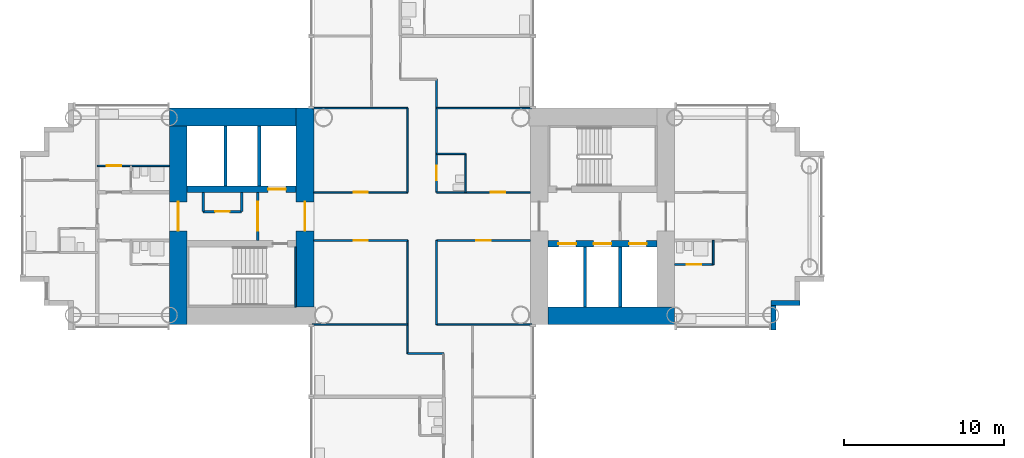
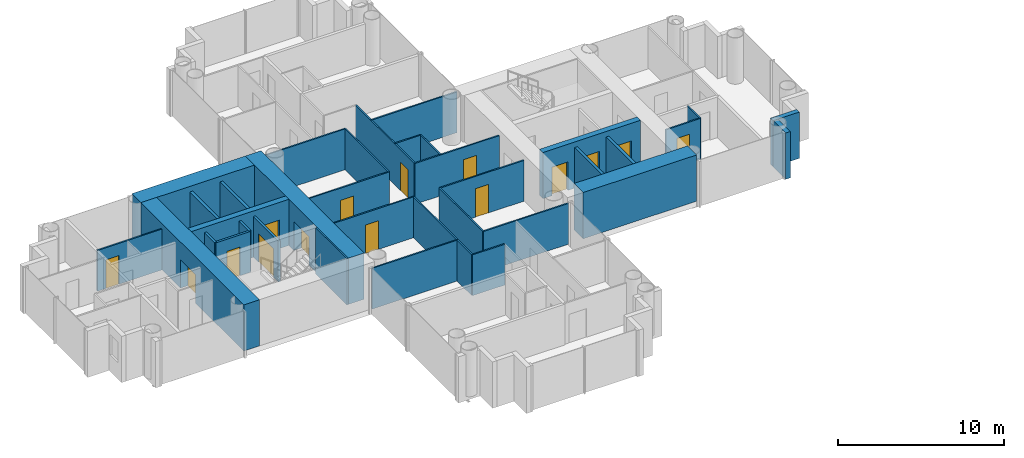
# One storey, part 10 of 21: 35 walls, 15 doors, 15 openings.
"""IFC4 building model written with IfcOpenShell, lengths in metres."""

from ifc_helpers import new_model, si_unit, direction, frame, frame_2d, origin, place, context, subcontext, project, spatial, rectangle, extrude, material, layer, layer_set, type_object, element, fill, save


model = new_model("IFC4")

# Units and contexts
model_context = context("Model", 3, precision=1e-05, world=origin(), true_north=direction((0.0, 1.0)))
body_context = subcontext(model_context, "Body", "Model", "MODEL_VIEW")
ifc_project = project(units=[si_unit("LENGTHUNIT", "METRE"), si_unit("AREAUNIT", "SQUARE_METRE"), si_unit("VOLUMEUNIT", "CUBIC_METRE"), si_unit("PLANEANGLEUNIT", "RADIAN"), si_unit("MASSUNIT", "GRAM", prefix="KILO")], contexts=[model_context])

# Site, building, storey
site_placement = place(None, origin())
site = spatial("IfcSite", under=ifc_project, at=site_placement, CompositionType="ELEMENT")
building_placement = place(site_placement, origin())
building = spatial("IfcBuilding", under=site, at=building_placement, Name="Ipe Terrace Towers", CompositionType="ELEMENT")
storey_placement = place(building_placement, frame((0.0, 0.0, 41.5)))
storey = spatial("IfcBuildingStorey", under=building, at=storey_placement, Name="L10", CompositionType="ELEMENT", Elevation=41.5)

# Walls
ifc_material_1 = material(Name="Concrete C40/50 with buff precast cladding", Category="concrete")
ifc_layer_1 = layer(ifc_material_1, 0.320068359375)
ifc_layer_set_1 = layer_set([ifc_layer_1], Name="BUFF CLADDING WALL 320")
wall_type_1 = type_object("IfcWallType", Name="BUFF CLADDING WALL 320", PredefinedType="STANDARD", material=ifc_layer_set_1)
wall_1_placement = place(storey_placement, frame((-14.090087890625, -7.070068359375, -0.300048828125), z_axis=(0.0, 0.0, 1.0), x_axis=(0.0, 1.0, 0.0)))
element("IfcWall", 1, at=wall_1_placement, inside=storey, type_object=wall_type_1, Name="T1-W-L10-21a wall", PredefinedType="STANDARD", context=body_context, shape_type="SweptSolid", body=[
    extrude(rectangle(XDim=1.5, YDim=0.320068359375, at=frame_2d((0.75, 0.0))), origin(), (0.0, 0.0, 1.0), 3.400146484375),
])
wall_2_placement = place(storey_placement, frame((-14.25, -5.409912109375, -0.300048828125), z_axis=(0.0, 0.0, 1.0), x_axis=(1.0, 0.0, 0.0)))
element("IfcWall", 2, at=wall_2_placement, inside=storey, type_object=wall_type_1, Name="T1-W-L10-22a wall", PredefinedType="STANDARD", context=body_context, shape_type="SweptSolid", body=[
    extrude(rectangle(XDim=1.820068359375, YDim=0.320068359375, at=frame_2d((0.91015625, 0.0))), origin(), (0.0, 0.0, 1.0), 3.400146484375),
])
ifc_material_2 = material(Name="Gypsum board partition", Category="plasterboard")
ifc_layer_2 = layer(ifc_material_2, 0.10009765625)
ifc_layer_set_2 = layer_set([ifc_layer_2], Name="Gypsum board partition 100 mm")
wall_type_2 = type_object("IfcWallType", Name="Gypsum board partition 100 mm", PredefinedType="PARTITIONING", material=ifc_layer_set_2)
wall_3_placement = place(storey_placement, frame((-36.89990234375, -8.550048828125, 0.0), z_axis=(0.0, 0.0, 1.0), x_axis=(0.0, 1.0, 0.0)))
element("IfcWall", 3, at=wall_3_placement, inside=storey, type_object=wall_type_2, Name="Gypsum board partition T1 L10 W08", PredefinedType="PARTITIONING", context=body_context, shape_type="SweptSolid", body=[
    extrude(rectangle(XDim=7.050048828125, YDim=0.10009765625, at=frame_2d((3.52490234375, 0.0))), origin(), (0.0, 0.0, 1.0), 3.0),
])
for number, where, z_axis, x_axis, name in (
    (4, (-36.89990234375, 1.5, 0.0), (0.0, 0.0, 1.0), (0.0, 1.0, 0.0), "Gypsum board partition T1 L10 W09"),
    (5, (-35.10009765625, -6.75, 0.0), (0.0, 0.0, 1.0), (0.0, 1.0, 0.0), "Gypsum board partition T1 L10 W12"),
):
    element("IfcWall", number, at=place(storey_placement, frame(where, z_axis=z_axis, x_axis=x_axis)), inside=storey, type_object=wall_type_2, Name=name, PredefinedType="PARTITIONING", context=body_context, shape_type="SweptSolid", body=[
        extrude(rectangle(XDim=5.25, YDim=0.10009765625, at=frame_2d((2.625, 0.0))), origin(), (0.0, 0.0, 1.0), 3.0),
    ])

# Wall, opening, door
wall_4_placement = place(storey_placement, frame((-35.10009765625, 1.5, 0.0), z_axis=(0.0, 0.0, 1.0), x_axis=(0.0, 1.0, 0.0)))
wall_4 = element("IfcWall", 6, at=wall_4_placement, inside=storey, type_object=wall_type_2, Name="Gypsum board partition T1 L10 W13", PredefinedType="PARTITIONING", context=body_context, shape_type="SweptSolid", body=[
    extrude(rectangle(XDim=7.050048828125, YDim=0.10009765625, at=frame_2d((3.52490234375, 0.0))), origin(), (0.0, 0.0, 1.0), 3.0),
])
opening_1_placement = place(wall_4_placement, frame((0.75, 0.0, 0.0)))
opening_1 = element("IfcOpeningElement", 7, at=opening_1_placement, cuts=wall_4, Name="Opening T1-Z1B-01", PredefinedType="OPENING", context=body_context, shape_type="SweptSolid", body=[
    extrude(rectangle(XDim=0.89990234375, YDim=2.10009765625, at=frame_2d((0.449951171875, 1.050048828125))), frame((0.0, 0.06005859375, 0.0), z_axis=(0.0, -1.0, 0.0), x_axis=(1.0, 0.0, 0.0)), (0.0, 0.0, 1.0), 0.1201171875),
])
ifc_material_3 = material(Name="Timber door leaf", Category="wood")
door_type_1 = type_object("IfcDoorType", Name="Bathroom door 900 x 2100", OperationType="NOTDEFINED", PredefinedType="DOOR", material=ifc_material_3)
door_1_placement = place(opening_1_placement, origin())
door_1 = element("IfcDoor", 8, at=door_1_placement, inside=storey, type_object=door_type_1, Name="Bathroom door T1-Z1B-01", OperationType="SINGLE_SWING_LEFT", OverallHeight=2.10009765625, OverallWidth=0.89990234375, PredefinedType="DOOR", context=body_context, shape_type="SweptSolid", body=[
    extrude(rectangle(XDim=0.89990234375, YDim=2.10009765625, at=frame_2d((0.449951171875, 1.050048828125))), frame((0.0, 0.02490234375, 0.0), z_axis=(0.0, -1.0, 0.0), x_axis=(1.0, 0.0, 0.0)), (0.0, 0.0, 1.0), 0.050048828125),
])
fill(opening_1, door_1)

# Walls
wall_5_placement = place(storey_placement, frame((-33.300048828125, 1.5, 0.0), z_axis=(0.0, 0.0, 1.0), x_axis=(0.0, 1.0, 0.0)))
element("IfcWall", 9, at=wall_5_placement, inside=storey, type_object=wall_type_2, Name="Gypsum board partition T1 L10 W16", PredefinedType="PARTITIONING", context=body_context, shape_type="SweptSolid", body=[
    extrude(rectangle(XDim=2.39990234375, YDim=0.10009765625, at=frame_2d((1.199951171875, 0.0))), origin(), (0.0, 0.0, 1.0), 3.0),
])
wall_6_placement = place(storey_placement, frame((-17.85009765625, -3.0, 0.0), z_axis=(0.0, 0.0, 1.0), x_axis=(0.0, 1.0, 0.0)))
element("IfcWall", 10, at=wall_6_placement, inside=storey, type_object=wall_type_2, Name="Gypsum board partition T1 L10 W18", PredefinedType="PARTITIONING", context=body_context, shape_type="SweptSolid", body=[
    extrude(rectangle(XDim=1.5, YDim=0.10009765625, at=frame_2d((0.75, 0.0))), origin(), (0.0, 0.0, 1.0), 3.0),
])
wall_7_placement = place(storey_placement, frame((-36.89990234375, -8.550048828125, 0.0), z_axis=(0.0, 0.0, 1.0), x_axis=(1.0, 0.0, 0.0)))
element("IfcWall", 11, at=wall_7_placement, inside=storey, type_object=wall_type_2, Name="Gypsum board partition T1 L10 W26", PredefinedType="PARTITIONING", context=body_context, shape_type="SweptSolid", body=[
    extrude(rectangle(XDim=2.25, YDim=0.10009765625, at=frame_2d((1.125, 0.0))), origin(), (0.0, 0.0, 1.0), 3.0),
])
for number, where, z_axis, x_axis, name in (
    (12, (-42.85009765625, -6.75, 0.0), (0.0, 0.0, 1.0), (1.0, 0.0, 0.0), "Gypsum board partition T1 L10 W27"),
    (13, (-35.10009765625, -6.75, 0.0), (0.0, 0.0, 1.0), (1.0, 0.0, 0.0), "Gypsum board partition T1 L10 W28"),
):
    element("IfcWall", number, at=place(storey_placement, frame(where, z_axis=z_axis, x_axis=x_axis)), inside=storey, type_object=wall_type_2, Name=name, PredefinedType="PARTITIONING", context=body_context, shape_type="SweptSolid", body=[
        extrude(rectangle(XDim=5.9501953125, YDim=0.10009765625, at=frame_2d((2.97509765625, 0.0))), origin(), (0.0, 0.0, 1.0), 3.0),
    ])

# Wall, opening, door
wall_8_placement = place(storey_placement, frame((-20.25, -3.0, 0.0), z_axis=(0.0, 0.0, 1.0), x_axis=(1.0, 0.0, 0.0)))
wall_8 = element("IfcWall", 14, at=wall_8_placement, inside=storey, type_object=wall_type_2, Name="Gypsum board partition T1 L10 W30", PredefinedType="PARTITIONING", context=body_context, shape_type="SweptSolid", body=[
    extrude(rectangle(XDim=2.39990234375, YDim=0.10009765625, at=frame_2d((1.199951171875, 0.0))), origin(), (0.0, 0.0, 1.0), 3.0),
])
opening_2_placement = place(wall_8_placement, frame((0.75, 0.0, 0.0)))
opening_2 = element("IfcOpeningElement", 15, at=opening_2_placement, cuts=wall_8, Name="Opening T1-Z1B-20", PredefinedType="OPENING", context=body_context, shape_type="SweptSolid", body=[
    extrude(rectangle(XDim=0.89990234375, YDim=2.10009765625, at=frame_2d((0.449951171875, 1.050048828125))), frame((0.0, 0.06005859375, 0.0), z_axis=(0.0, -1.0, 0.0), x_axis=(1.0, 0.0, 0.0)), (0.0, 0.0, 1.0), 0.1201171875),
])
door_2_placement = place(opening_2_placement, origin())
door_2 = element("IfcDoor", 16, at=door_2_placement, inside=storey, type_object=door_type_1, Name="Bathroom door T1-Z1B-20", OperationType="SINGLE_SWING_LEFT", OverallHeight=2.10009765625, OverallWidth=0.89990234375, PredefinedType="DOOR", context=body_context, shape_type="SweptSolid", body=[
    extrude(rectangle(XDim=0.89990234375, YDim=2.10009765625, at=frame_2d((0.449951171875, 1.050048828125))), frame((0.0, 0.02490234375, 0.0), z_axis=(0.0, -1.0, 0.0), x_axis=(1.0, 0.0, 0.0)), (0.0, 0.0, 1.0), 0.050048828125),
])
fill(opening_2, door_2)

wall_9_placement = place(storey_placement, frame((-42.75, -1.5, 0.0), z_axis=(0.0, 0.0, 1.0), x_axis=(1.0, 0.0, 0.0)))
wall_9 = element("IfcWall", 17, at=wall_9_placement, inside=storey, type_object=wall_type_2, Name="Gypsum board partition T1 L10 W32", PredefinedType="PARTITIONING", context=body_context, shape_type="SweptSolid", body=[
    extrude(rectangle(XDim=5.85009765625, YDim=0.10009765625, at=frame_2d((2.925048828125, 0.0))), origin(), (0.0, 0.0, 1.0), 3.0),
])
opening_3_placement = place(wall_9_placement, frame((2.47509765625, 0.0, 0.0)))
opening_3 = element("IfcOpeningElement", 18, at=opening_3_placement, cuts=wall_9, Name="Opening T1-Z1B-04", PredefinedType="OPENING", context=body_context, shape_type="SweptSolid", body=[
    extrude(rectangle(XDim=0.89990234375, YDim=2.10009765625, at=frame_2d((0.449951171875, 1.050048828125))), frame((0.0, 0.06005859375, 0.0), z_axis=(0.0, -1.0, 0.0), x_axis=(1.0, 0.0, 0.0)), (0.0, 0.0, 1.0), 0.1201171875),
])
ifc_material_4 = material(Name="Timber door leaf", Category="wood")
door_type_2 = type_object("IfcDoorType", Name="Lounge door 900 x 2100", OperationType="NOTDEFINED", PredefinedType="DOOR", material=ifc_material_4)
door_3_placement = place(opening_3_placement, origin())
door_3 = element("IfcDoor", 19, at=door_3_placement, inside=storey, type_object=door_type_2, Name="Lounge door T1-Z1B-04", OperationType="SINGLE_SWING_LEFT", OverallHeight=2.10009765625, OverallWidth=0.89990234375, PredefinedType="DOOR", context=body_context, shape_type="SweptSolid", body=[
    extrude(rectangle(XDim=0.89990234375, YDim=2.10009765625, at=frame_2d((0.449951171875, 1.050048828125))), frame((0.0, 0.02490234375, 0.0), z_axis=(0.0, -1.0, 0.0), x_axis=(1.0, 0.0, 0.0)), (0.0, 0.0, 1.0), 0.050048828125),
])
fill(opening_3, door_3)

wall_10_placement = place(storey_placement, frame((-35.10009765625, -1.5, 0.0), z_axis=(0.0, 0.0, 1.0), x_axis=(1.0, 0.0, 0.0)))
wall_10 = element("IfcWall", 20, at=wall_10_placement, inside=storey, type_object=wall_type_2, Name="Gypsum board partition T1 L10 W33", PredefinedType="PARTITIONING", context=body_context, shape_type="SweptSolid", body=[
    extrude(rectangle(XDim=5.85009765625, YDim=0.10009765625, at=frame_2d((2.925048828125, 0.0))), origin(), (0.0, 0.0, 1.0), 3.0),
])
opening_4_placement = place(wall_10_placement, frame((2.47509765625, 0.0, 0.0)))
opening_4 = element("IfcOpeningElement", 21, at=opening_4_placement, cuts=wall_10, Name="Opening T1-Z1B-05", PredefinedType="OPENING", context=body_context, shape_type="SweptSolid", body=[
    extrude(rectangle(XDim=0.89990234375, YDim=2.10009765625, at=frame_2d((0.449951171875, 1.050048828125))), frame((0.0, 0.06005859375, 0.0), z_axis=(0.0, -1.0, 0.0), x_axis=(1.0, 0.0, 0.0)), (0.0, 0.0, 1.0), 0.1201171875),
])
door_4_placement = place(opening_4_placement, origin())
door_4 = element("IfcDoor", 22, at=door_4_placement, inside=storey, type_object=door_type_2, Name="Lounge door T1-Z1B-05", OperationType="SINGLE_SWING_RIGHT", OverallHeight=2.10009765625, OverallWidth=0.89990234375, PredefinedType="DOOR", context=body_context, shape_type="SweptSolid", body=[
    extrude(rectangle(XDim=0.89990234375, YDim=2.10009765625, at=frame_2d((0.449951171875, 1.050048828125))), frame((0.0, 0.02490234375, 0.0), z_axis=(0.0, -1.0, 0.0), x_axis=(1.0, 0.0, 0.0)), (0.0, 0.0, 1.0), 0.050048828125),
])
fill(opening_4, door_4)

wall_11_placement = place(storey_placement, frame((-42.75, 1.5, 0.0), z_axis=(0.0, 0.0, 1.0), x_axis=(1.0, 0.0, 0.0)))
wall_11 = element("IfcWall", 23, at=wall_11_placement, inside=storey, type_object=wall_type_2, Name="Gypsum board partition T1 L10 W37", PredefinedType="PARTITIONING", context=body_context, shape_type="SweptSolid", body=[
    extrude(rectangle(XDim=5.85009765625, YDim=0.10009765625, at=frame_2d((2.925048828125, 0.0))), origin(), (0.0, 0.0, 1.0), 3.0),
])
opening_5_placement = place(wall_11_placement, frame((2.47509765625, 0.0, 0.0)))
opening_5 = element("IfcOpeningElement", 24, at=opening_5_placement, cuts=wall_11, Name="Opening T1-Z1B-03", PredefinedType="OPENING", context=body_context, shape_type="SweptSolid", body=[
    extrude(rectangle(XDim=0.89990234375, YDim=2.10009765625, at=frame_2d((0.449951171875, 1.050048828125))), frame((0.0, 0.06005859375, 0.0), z_axis=(0.0, -1.0, 0.0), x_axis=(1.0, 0.0, 0.0)), (0.0, 0.0, 1.0), 0.1201171875),
])
door_5_placement = place(opening_5_placement, origin())
door_5 = element("IfcDoor", 25, at=door_5_placement, inside=storey, type_object=door_type_2, Name="Lounge door T1-Z1B-03", OperationType="SINGLE_SWING_RIGHT", OverallHeight=2.10009765625, OverallWidth=0.89990234375, PredefinedType="DOOR", context=body_context, shape_type="SweptSolid", body=[
    extrude(rectangle(XDim=0.89990234375, YDim=2.10009765625, at=frame_2d((0.449951171875, 1.050048828125))), frame((0.0, 0.02490234375, 0.0), z_axis=(0.0, -1.0, 0.0), x_axis=(1.0, 0.0, 0.0)), (0.0, 0.0, 1.0), 0.050048828125),
])
fill(opening_5, door_5)

wall_12_placement = place(storey_placement, frame((-35.10009765625, 1.5, 0.0), z_axis=(0.0, 0.0, 1.0), x_axis=(1.0, 0.0, 0.0)))
wall_12 = element("IfcWall", 26, at=wall_12_placement, inside=storey, type_object=wall_type_2, Name="Gypsum board partition T1 L10 W38", PredefinedType="PARTITIONING", context=body_context, shape_type="SweptSolid", body=[
    extrude(rectangle(XDim=5.85009765625, YDim=0.10009765625, at=frame_2d((2.925048828125, 0.0))), origin(), (0.0, 0.0, 1.0), 3.0),
])
opening_6_placement = place(wall_12_placement, frame((3.375, 0.0, 0.0)))
opening_6 = element("IfcOpeningElement", 27, at=opening_6_placement, cuts=wall_12, Name="Opening T1-Z1B-02", PredefinedType="OPENING", context=body_context, shape_type="SweptSolid", body=[
    extrude(rectangle(XDim=0.89990234375, YDim=2.10009765625, at=frame_2d((0.449951171875, 1.050048828125))), frame((0.0, 0.06005859375, 0.0), z_axis=(0.0, -1.0, 0.0), x_axis=(1.0, 0.0, 0.0)), (0.0, 0.0, 1.0), 0.1201171875),
])
door_6_placement = place(opening_6_placement, origin())
door_6 = element("IfcDoor", 28, at=door_6_placement, inside=storey, type_object=door_type_2, Name="Lounge door T1-Z1B-02", OperationType="SINGLE_SWING_LEFT", OverallHeight=2.10009765625, OverallWidth=0.89990234375, PredefinedType="DOOR", context=body_context, shape_type="SweptSolid", body=[
    extrude(rectangle(XDim=0.89990234375, YDim=2.10009765625, at=frame_2d((0.449951171875, 1.050048828125))), frame((0.0, 0.02490234375, 0.0), z_axis=(0.0, -1.0, 0.0), x_axis=(1.0, 0.0, 0.0)), (0.0, 0.0, 1.0), 0.050048828125),
])
fill(opening_6, door_6)

wall_13_placement = place(storey_placement, frame((-56.25, 3.14990234375, 0.0), z_axis=(0.0, 0.0, 1.0), x_axis=(1.0, 0.0, 0.0)))
wall_13 = element("IfcWall", 29, at=wall_13_placement, inside=storey, type_object=wall_type_2, Name="Gypsum board partition T1 L10 W42", PredefinedType="PARTITIONING", context=body_context, shape_type="SweptSolid", body=[
    extrude(rectangle(XDim=4.5, YDim=0.10009765625, at=frame_2d((2.25, 0.0))), origin(), (0.0, 0.0, 1.0), 3.0),
])
opening_7_placement = place(wall_13_placement, frame((0.60009765625, 0.0, 0.0)))
opening_7 = element("IfcOpeningElement", 30, at=opening_7_placement, cuts=wall_13, Name="Opening T1-Z1B-25", PredefinedType="OPENING", context=body_context, shape_type="SweptSolid", body=[
    extrude(rectangle(XDim=0.89990234375, YDim=2.10009765625, at=frame_2d((0.449951171875, 1.050048828125))), frame((0.0, 0.06005859375, 0.0), z_axis=(0.0, -1.0, 0.0), x_axis=(1.0, 0.0, 0.0)), (0.0, 0.0, 1.0), 0.1201171875),
])
ifc_material_5 = material(Name="Timber door leaf", Category="wood")
door_type_3 = type_object("IfcDoorType", Name="Bedroom door 900 x 2100", OperationType="NOTDEFINED", PredefinedType="DOOR", material=ifc_material_5)
door_7_placement = place(opening_7_placement, origin())
door_7 = element("IfcDoor", 31, at=door_7_placement, inside=storey, type_object=door_type_3, Name="Bedroom door T1-Z1B-25", OperationType="SINGLE_SWING_RIGHT", OverallHeight=2.10009765625, OverallWidth=0.89990234375, PredefinedType="DOOR", context=body_context, shape_type="SweptSolid", body=[
    extrude(rectangle(XDim=0.89990234375, YDim=2.10009765625, at=frame_2d((0.449951171875, 1.050048828125))), frame((0.0, 0.02490234375, 0.0), z_axis=(0.0, -1.0, 0.0), x_axis=(1.0, 0.0, 0.0)), (0.0, 0.0, 1.0), 0.050048828125),
])
fill(opening_7, door_7)

# Walls
wall_14_placement = place(storey_placement, frame((-35.10009765625, 3.89990234375, 0.0), z_axis=(0.0, 0.0, 1.0), x_axis=(1.0, 0.0, 0.0)))
element("IfcWall", 32, at=wall_14_placement, inside=storey, type_object=wall_type_2, Name="Gypsum board partition T1 L10 W43", PredefinedType="PARTITIONING", context=body_context, shape_type="SweptSolid", body=[
    extrude(rectangle(XDim=1.800048828125, YDim=0.10009765625, at=frame_2d((0.89990234375, 0.0))), origin(), (0.0, 0.0, 1.0), 3.0),
])
for number, where, z_axis, x_axis, name in (
    (33, (-42.85009765625, 6.75, 0.0), (0.0, 0.0, 1.0), (1.0, 0.0, 0.0), "Gypsum board partition T1 L10 W44"),
    (34, (-35.10009765625, 6.75, 0.0), (0.0, 0.0, 1.0), (1.0, 0.0, 0.0), "Gypsum board partition T1 L10 W45"),
):
    element("IfcWall", number, at=place(storey_placement, frame(where, z_axis=z_axis, x_axis=x_axis)), inside=storey, type_object=wall_type_2, Name=name, PredefinedType="PARTITIONING", context=body_context, shape_type="SweptSolid", body=[
        extrude(rectangle(XDim=5.9501953125, YDim=0.10009765625, at=frame_2d((2.97509765625, 0.0))), origin(), (0.0, 0.0, 1.0), 3.0),
    ])

# Wall, opening, door
ifc_material_6 = material(Name="Gypsum board partition", Category="plasterboard")
ifc_layer_3 = layer(ifc_material_6, 0.14990234375)
ifc_layer_set_3 = layer_set([ifc_layer_3], Name="Gypsum board partition 150 mm")
wall_type_3 = type_object("IfcWallType", Name="Gypsum board partition 150 mm", PredefinedType="PARTITIONING", material=ifc_layer_set_3)
wall_15_placement = place(storey_placement, frame((-46.25, 1.5, 0.0), z_axis=(0.0, 0.0, 1.0), x_axis=(0.0, -1.0, 0.0)))
wall_15 = element("IfcWall", 35, at=wall_15_placement, inside=storey, type_object=wall_type_3, Name="Gypsum board partition T1 L10 t1c2-lobby-wall", PredefinedType="PARTITIONING", context=body_context, shape_type="SweptSolid", body=[
    extrude(rectangle(XDim=3.0, YDim=0.14990234375, at=frame_2d((1.5, 0.0))), origin(), (0.0, 0.0, 1.0), 3.0),
])
opening_8_placement = place(wall_15_placement, frame((0.60009765625, 0.0, 0.0)))
opening_8 = element("IfcOpeningElement", 36, at=opening_8_placement, cuts=wall_15, Name="Opening T1C2-VD", PredefinedType="OPENING", context=body_context, shape_type="SweptSolid", body=[
    extrude(rectangle(XDim=1.800048828125, YDim=2.10009765625, at=frame_2d((0.89990234375, 1.050048828125))), frame((0.0, 0.0849609375, 0.0), z_axis=(0.0, -1.0, 0.0), x_axis=(1.0, 0.0, 0.0)), (0.0, 0.0, 1.0), 0.169921875),
])
ifc_material_7 = material(Name="Fire-rated timber door leaf", Category="wood")
door_type_4 = type_object("IfcDoorType", Name="Lobby door 1800 x 2100 FD60", OperationType="NOTDEFINED", PredefinedType="DOOR", material=ifc_material_7)
door_8_placement = place(opening_8_placement, origin())
door_8 = element("IfcDoor", 37, at=door_8_placement, inside=storey, type_object=door_type_4, Name="Lobby door T1C2-VD", OperationType="SINGLE_SWING_LEFT", OverallHeight=2.10009765625, OverallWidth=1.800048828125, PredefinedType="DOOR", context=body_context, shape_type="SweptSolid", body=[
    extrude(rectangle(XDim=1.800048828125, YDim=2.10009765625, at=frame_2d((0.89990234375, 1.050048828125))), frame((0.0, 0.02490234375, 0.0), z_axis=(0.0, -1.0, 0.0), x_axis=(1.0, 0.0, 0.0)), (0.0, 0.0, 1.0), 0.050048828125),
])
fill(opening_8, door_8)

wall_16_placement = place(storey_placement, frame((-47.25, 0.300048828125, 0.0), z_axis=(0.0, 0.0, 1.0), x_axis=(-1.0, 0.0, 0.0)))
wall_16 = element("IfcWall", 38, at=wall_16_placement, inside=storey, type_object=wall_type_3, Name="Gypsum board partition T1 L10 t1c2-cup-s-f", PredefinedType="PARTITIONING", context=body_context, shape_type="SweptSolid", body=[
    extrude(rectangle(XDim=2.39990234375, YDim=0.14990234375, at=frame_2d((1.199951171875, 0.0))), origin(), (0.0, 0.0, 1.0), 3.0),
])
opening_9_placement = place(wall_16_placement, frame((0.75, 0.0, 0.0)))
opening_9 = element("IfcOpeningElement", 39, at=opening_9_placement, cuts=wall_16, Name="Opening T1C2-SC", PredefinedType="OPENING", context=body_context, shape_type="SweptSolid", body=[
    extrude(rectangle(XDim=0.89990234375, YDim=2.10009765625, at=frame_2d((0.449951171875, 1.050048828125))), frame((0.0, 0.0849609375, 0.0), z_axis=(0.0, -1.0, 0.0), x_axis=(1.0, 0.0, 0.0)), (0.0, 0.0, 1.0), 0.169921875),
])
ifc_material_8 = material(Name="Fire-rated timber door leaf", Category="wood")
door_type_5 = type_object("IfcDoorType", Name="Service door 900 x 2100 FD30S", OperationType="NOTDEFINED", PredefinedType="DOOR", material=ifc_material_8)
door_9_placement = place(opening_9_placement, origin())
door_9 = element("IfcDoor", 40, at=door_9_placement, inside=storey, type_object=door_type_5, Name="Service door T1C2-SC", OperationType="SINGLE_SWING_LEFT", OverallHeight=2.10009765625, OverallWidth=0.89990234375, PredefinedType="DOOR", context=body_context, shape_type="SweptSolid", body=[
    extrude(rectangle(XDim=0.89990234375, YDim=2.10009765625, at=frame_2d((0.449951171875, 1.050048828125))), frame((0.0, 0.02490234375, 0.0), z_axis=(0.0, -1.0, 0.0), x_axis=(1.0, 0.0, 0.0)), (0.0, 0.0, 1.0), 0.050048828125),
])
fill(opening_9, door_9)

# Walls
for number, where, z_axis, x_axis, name in (
    (41, (-47.25, 0.300048828125, 0.0), (0.0, 0.0, 1.0), (0.0, 1.0, 0.0), "Gypsum board partition T1 L10 t1c2-cup-s-a"),
    (42, (-49.64990234375, 0.300048828125, 0.0), (0.0, 0.0, 1.0), (0.0, 1.0, 0.0), "Gypsum board partition T1 L10 t1c2-cup-s-b"),
):
    element("IfcWall", number, at=place(storey_placement, frame(where, z_axis=z_axis, x_axis=x_axis)), inside=storey, type_object=wall_type_3, Name=name, PredefinedType="PARTITIONING", context=body_context, shape_type="SweptSolid", body=[
        extrude(rectangle(XDim=1.199951171875, YDim=0.14990234375, at=frame_2d((0.60009765625, 0.0))), origin(), (0.0, 0.0, 1.0), 3.0),
    ])
ifc_material_9 = material(Name="Gypsum board party wall", Category="plasterboard")
ifc_layer_4 = layer(ifc_material_9, 0.199951171875)
ifc_layer_set_4 = layer_set([ifc_layer_4], Name="Gypsum board party wall 200 mm")
wall_type_4 = type_object("IfcWallType", Name="Gypsum board party wall 200 mm", PredefinedType="SOLIDWALL", material=ifc_layer_set_4)
for number, where, z_axis, x_axis, name in (
    (43, (-25.85009765625, -5.64990234375, 0.0), (0.0, 0.0, 1.0), (0.0, 1.0, 0.0), "Gypsum board party wall T1 L10 t1c1-shaft-div1"),
    (44, (-23.64990234375, -5.64990234375, 0.0), (0.0, 0.0, 1.0), (0.0, 1.0, 0.0), "Gypsum board party wall T1 L10 t1c1-shaft-div2"),
    (45, (-46.14990234375, 5.64990234375, 0.0), (0.0, 0.0, 1.0), (0.0, -1.0, 0.0), "Gypsum board party wall T1 L10 t1c2-shaft-div1"),
    (46, (-48.25, 5.64990234375, 0.0), (0.0, 0.0, 1.0), (0.0, -1.0, 0.0), "Gypsum board party wall T1 L10 t1c2-shaft-div2"),
):
    element("IfcWall", number, at=place(storey_placement, frame(where, z_axis=z_axis, x_axis=x_axis)), inside=storey, type_object=wall_type_4, Name=name, PredefinedType="SOLIDWALL", context=body_context, shape_type="SweptSolid", body=[
        extrude(rectangle(XDim=3.75, YDim=0.199951171875, at=frame_2d((1.875, 0.0))), origin(), (0.0, 0.0, 1.0), 3.0),
    ])
ifc_material_10 = material(Name="Concrete C60/75", Category="concrete")
ifc_layer_5 = layer(ifc_material_10, 0.10009765625)
ifc_layer_set_5 = layer_set([ifc_layer_5], Name="RW100 CORE INFILL WALL 100 C60-75")
wall_type_5 = type_object("IfcWallType", Name="RW100 CORE INFILL WALL 100 C60-75", PredefinedType="SHEAR", material=ifc_layer_set_5)
wall_17_placement = place(storey_placement, frame((-43.89990234375, -1.89990234375, 0.0), z_axis=(0.0, 0.0, 1.0), x_axis=(0.0, -1.0, 0.0)))
element("IfcWall", 47, at=wall_17_placement, inside=storey, type_object=wall_type_5, Name="Core infill wall T1-C2-near", PredefinedType="SHEAR", context=body_context, shape_type="SweptSolid", body=[
    extrude(rectangle(XDim=3.75, YDim=0.10009765625, at=frame_2d((1.875, 0.0))), origin(), (0.0, 0.0, 1.0), 3.39990234375),
])
ifc_material_11 = material(Name="Concrete C60/75", Category="concrete")
ifc_layer_6 = layer(ifc_material_11, 1.10009765625)
ifc_layer_set_6 = layer_set([ifc_layer_6], Name="RW1100 CORE WALL 1100 C60-75")
wall_type_6 = type_object("IfcWallType", Name="RW1100 CORE WALL 1100 C60-75", PredefinedType="SHEAR", material=ifc_layer_set_6)
wall_18_placement = place(storey_placement, frame((-28.14990234375, -6.199951171875, 0.0), z_axis=(0.0, 0.0, 1.0), x_axis=(1.0, 0.0, 0.0)))
element("IfcWall", 48, at=wall_18_placement, inside=storey, type_object=wall_type_6, Name="Core wall T1-C1-Z1-W01", PredefinedType="SHEAR", context=body_context, shape_type="SweptSolid", body=[
    extrude(rectangle(XDim=7.89990234375, YDim=1.10009765625, at=frame_2d((3.949951171875, 0.0))), origin(), (0.0, 0.0, 1.0), 3.39990234375),
])

# Wall, opening, door
wall_19_placement = place(storey_placement, frame((-43.300048828125, -5.64990234375, 0.0), z_axis=(0.0, 0.0, 1.0), x_axis=(0.0, 1.0, 0.0)))
wall_19 = element("IfcWall", 49, at=wall_19_placement, inside=storey, type_object=wall_type_6, Name="Core wall T1-C2-Z1-W02", PredefinedType="SHEAR", context=body_context, shape_type="SweptSolid", body=[
    extrude(rectangle(XDim=12.39990234375, YDim=1.10009765625, at=frame_2d((6.199951171875, 0.0))), origin(), (0.0, 0.0, 1.0), 3.39990234375),
])
opening_10_placement = place(wall_19_placement, frame((4.75, 0.0, 0.0)))
opening_10 = element("IfcOpeningElement", 50, at=opening_10_placement, cuts=wall_19, Name="Opening T1C2-ND", PredefinedType="OPENING", context=body_context, shape_type="SweptSolid", body=[
    extrude(rectangle(XDim=1.800048828125, YDim=2.10009765625, at=frame_2d((0.89990234375, 1.050048828125))), frame((0.0, 0.56005859375, 0.0), z_axis=(0.0, -1.0, 0.0), x_axis=(1.0, 0.0, 0.0)), (0.0, 0.0, 1.0), 1.1201171875),
])
ifc_material_12 = material(Name="Fire-rated timber door leaf", Category="wood")
door_type_6 = type_object("IfcDoorType", Name="Fire door 1800 x 2100 FD30S", OperationType="NOTDEFINED", PredefinedType="DOOR", material=ifc_material_12)
door_10_placement = place(opening_10_placement, origin())
door_10 = element("IfcDoor", 51, at=door_10_placement, inside=storey, type_object=door_type_6, Name="Fire door T1C2-ND", OperationType="SINGLE_SWING_LEFT", OverallHeight=2.10009765625, OverallWidth=1.800048828125, PredefinedType="DOOR", context=body_context, shape_type="SweptSolid", body=[
    extrude(rectangle(XDim=1.800048828125, YDim=2.10009765625, at=frame_2d((0.89990234375, 1.050048828125))), frame((0.0, 0.02490234375, 0.0), z_axis=(0.0, -1.0, 0.0), x_axis=(1.0, 0.0, 0.0)), (0.0, 0.0, 1.0), 0.050048828125),
])
fill(opening_10, door_10)

# Wall
wall_20_placement = place(storey_placement, frame((-43.85009765625, 6.199951171875, 0.0), z_axis=(0.0, 0.0, 1.0), x_axis=(-1.0, 0.0, 0.0)))
element("IfcWall", 52, at=wall_20_placement, inside=storey, type_object=wall_type_6, Name="Core wall T1-C2-Z1-W03", PredefinedType="SHEAR", context=body_context, shape_type="SweptSolid", body=[
    extrude(rectangle(XDim=7.89990234375, YDim=1.10009765625, at=frame_2d((3.949951171875, 0.0))), origin(), (0.0, 0.0, 1.0), 3.39990234375),
])

# Wall, opening, door
wall_21_placement = place(storey_placement, frame((-51.199951171875, 5.64990234375, 0.0), z_axis=(0.0, 0.0, 1.0), x_axis=(0.0, -1.0, 0.0)))
wall_21 = element("IfcWall", 53, at=wall_21_placement, inside=storey, type_object=wall_type_6, Name="Core wall T1-C2-Z1-W04", PredefinedType="SHEAR", context=body_context, shape_type="SweptSolid", body=[
    extrude(rectangle(XDim=12.39990234375, YDim=1.10009765625, at=frame_2d((6.199951171875, 0.0))), origin(), (0.0, 0.0, 1.0), 3.39990234375),
])
opening_11_placement = place(wall_21_placement, frame((4.75, 0.0, 0.0)))
opening_11 = element("IfcOpeningElement", 54, at=opening_11_placement, cuts=wall_21, Name="Opening T1C2-FD", PredefinedType="OPENING", context=body_context, shape_type="SweptSolid", body=[
    extrude(rectangle(XDim=1.800048828125, YDim=2.10009765625, at=frame_2d((0.89990234375, 1.050048828125))), frame((0.0, 0.56005859375, 0.0), z_axis=(0.0, -1.0, 0.0), x_axis=(1.0, 0.0, 0.0)), (0.0, 0.0, 1.0), 1.1201171875),
])
door_11_placement = place(opening_11_placement, origin())
door_11 = element("IfcDoor", 55, at=door_11_placement, inside=storey, type_object=door_type_6, Name="Fire door T1C2-FD", OperationType="SINGLE_SWING_LEFT", OverallHeight=2.10009765625, OverallWidth=1.800048828125, PredefinedType="DOOR", context=body_context, shape_type="SweptSolid", body=[
    extrude(rectangle(XDim=1.800048828125, YDim=2.10009765625, at=frame_2d((0.89990234375, 1.050048828125))), frame((0.0, 0.02490234375, 0.0), z_axis=(0.0, -1.0, 0.0), x_axis=(1.0, 0.0, 0.0)), (0.0, 0.0, 1.0), 0.050048828125),
])
fill(opening_11, door_11)

# Wall, openings, doors
ifc_material_13 = material(Name="Concrete C60/75", Category="concrete")
ifc_layer_7 = layer(ifc_material_13, 0.39990234375)
ifc_layer_set_7 = layer_set([ifc_layer_7], Name="RW400 CORE SPINE WALL 400 C60-75")
wall_type_7 = type_object("IfcWallType", Name="RW400 CORE SPINE WALL 400 C60-75", PredefinedType="SHEAR", material=ifc_layer_set_7)
wall_22_placement = place(storey_placement, frame((-28.14990234375, -1.699951171875, 0.0), z_axis=(0.0, 0.0, 1.0), x_axis=(1.0, 0.0, 0.0)))
wall_22 = element("IfcWall", 56, at=wall_22_placement, inside=storey, type_object=wall_type_7, Name="Core spine wall T1-C1-Z1-SW1", PredefinedType="SHEAR", context=body_context, shape_type="SweptSolid", body=[
    extrude(rectangle(XDim=6.7998046875, YDim=0.39990234375, at=frame_2d((3.39990234375, 0.0))), origin(), (0.0, 0.0, 1.0), 3.39990234375),
])
opening_12_placement = place(wall_22_placement, frame((0.64990234375, 0.0, 0.0)))
opening_12 = element("IfcOpeningElement", 57, at=opening_12_placement, cuts=wall_22, Name="Opening T1C1-LD1", PredefinedType="OPENING", context=body_context, shape_type="SweptSolid", body=[
    extrude(rectangle(XDim=1.10009765625, YDim=2.10009765625, at=frame_2d((0.550048828125, 1.050048828125))), frame((0.0, 0.2099609375, 0.0), z_axis=(0.0, -1.0, 0.0), x_axis=(1.0, 0.0, 0.0)), (0.0, 0.0, 1.0), 0.419921875),
])
opening_13_placement = place(wall_22_placement, frame((2.85009765625, 0.0, 0.0)))
opening_13 = element("IfcOpeningElement", 58, at=opening_13_placement, cuts=wall_22, Name="Opening T1C1-LD2", PredefinedType="OPENING", context=body_context, shape_type="SweptSolid", body=[
    extrude(rectangle(XDim=1.10009765625, YDim=2.10009765625, at=frame_2d((0.550048828125, 1.050048828125))), frame((0.0, 0.2099609375, 0.0), z_axis=(0.0, -1.0, 0.0), x_axis=(1.0, 0.0, 0.0)), (0.0, 0.0, 1.0), 0.419921875),
])
opening_14_placement = place(wall_22_placement, frame((5.050048828125, 0.0, 0.0)))
opening_14 = element("IfcOpeningElement", 59, at=opening_14_placement, cuts=wall_22, Name="Opening T1C1-LD3", PredefinedType="OPENING", context=body_context, shape_type="SweptSolid", body=[
    extrude(rectangle(XDim=1.10009765625, YDim=2.10009765625, at=frame_2d((0.550048828125, 1.050048828125))), frame((0.0, 0.2099609375, 0.0), z_axis=(0.0, -1.0, 0.0), x_axis=(1.0, 0.0, 0.0)), (0.0, 0.0, 1.0), 0.419921875),
])
ifc_material_14 = material(Name="Fire-rated timber door leaf", Category="wood")
door_type_7 = type_object("IfcDoorType", Name="Sliding door 1100 x 2100 FD60", OperationType="SLIDING_TO_LEFT", PredefinedType="DOOR", material=ifc_material_14)
door_12_placement = place(opening_12_placement, origin())
door_12 = element("IfcDoor", 60, at=door_12_placement, inside=storey, type_object=door_type_7, Name="Sliding door T1C1-LD1", OperationType="SLIDING_TO_LEFT", OverallHeight=2.10009765625, OverallWidth=1.10009765625, PredefinedType="DOOR", context=body_context, shape_type="SweptSolid", body=[
    extrude(rectangle(XDim=1.10009765625, YDim=2.10009765625, at=frame_2d((0.550048828125, 1.050048828125))), frame((0.0, 0.02490234375, 0.0), z_axis=(0.0, -1.0, 0.0), x_axis=(1.0, 0.0, 0.0)), (0.0, 0.0, 1.0), 0.050048828125),
])
fill(opening_12, door_12)
door_13_placement = place(opening_13_placement, origin())
door_13 = element("IfcDoor", 61, at=door_13_placement, inside=storey, type_object=door_type_7, Name="Sliding door T1C1-LD2", OperationType="SLIDING_TO_LEFT", OverallHeight=2.10009765625, OverallWidth=1.10009765625, PredefinedType="DOOR", context=body_context, shape_type="SweptSolid", body=[
    extrude(rectangle(XDim=1.10009765625, YDim=2.10009765625, at=frame_2d((0.550048828125, 1.050048828125))), frame((0.0, 0.02490234375, 0.0), z_axis=(0.0, -1.0, 0.0), x_axis=(1.0, 0.0, 0.0)), (0.0, 0.0, 1.0), 0.050048828125),
])
fill(opening_13, door_13)
door_14_placement = place(opening_14_placement, origin())
door_14 = element("IfcDoor", 62, at=door_14_placement, inside=storey, type_object=door_type_7, Name="Sliding door T1C1-LD3", OperationType="SLIDING_TO_LEFT", OverallHeight=2.10009765625, OverallWidth=1.10009765625, PredefinedType="DOOR", context=body_context, shape_type="SweptSolid", body=[
    extrude(rectangle(XDim=1.10009765625, YDim=2.10009765625, at=frame_2d((0.550048828125, 1.050048828125))), frame((0.0, 0.02490234375, 0.0), z_axis=(0.0, -1.0, 0.0), x_axis=(1.0, 0.0, 0.0)), (0.0, 0.0, 1.0), 0.050048828125),
])
fill(opening_14, door_14)

# Wall, opening, door
wall_23_placement = place(storey_placement, frame((-50.64990234375, 1.699951171875, 0.0), z_axis=(0.0, 0.0, 1.0), x_axis=(1.0, 0.0, 0.0)))
wall_23 = element("IfcWall", 63, at=wall_23_placement, inside=storey, type_object=wall_type_7, Name="Core spine wall T1-C2-Z1-SW2", PredefinedType="SHEAR", context=body_context, shape_type="SweptSolid", body=[
    extrude(rectangle(XDim=6.7998046875, YDim=0.39990234375, at=frame_2d((3.39990234375, 0.0))), origin(), (0.0, 0.0, 1.0), 3.39990234375),
])
opening_15_placement = place(wall_23_placement, frame((5.050048828125, 0.0, 0.0)))
opening_15 = element("IfcOpeningElement", 64, at=opening_15_placement, cuts=wall_23, Name="Opening T1C2-LD1", PredefinedType="OPENING", context=body_context, shape_type="SweptSolid", body=[
    extrude(rectangle(XDim=1.10009765625, YDim=2.10009765625, at=frame_2d((0.550048828125, 1.050048828125))), frame((0.0, 0.2099609375, 0.0), z_axis=(0.0, -1.0, 0.0), x_axis=(1.0, 0.0, 0.0)), (0.0, 0.0, 1.0), 0.419921875),
])
door_15_placement = place(opening_15_placement, origin())
door_15 = element("IfcDoor", 65, at=door_15_placement, inside=storey, type_object=door_type_7, Name="Sliding door T1C2-LD1", OperationType="SLIDING_TO_LEFT", OverallHeight=2.10009765625, OverallWidth=1.10009765625, PredefinedType="DOOR", context=body_context, shape_type="SweptSolid", body=[
    extrude(rectangle(XDim=1.10009765625, YDim=2.10009765625, at=frame_2d((0.550048828125, 1.050048828125))), frame((0.0, 0.02490234375, 0.0), z_axis=(0.0, -1.0, 0.0), x_axis=(1.0, 0.0, 0.0)), (0.0, 0.0, 1.0), 0.050048828125),
])
fill(opening_15, door_15)

save(model, "model.ifc")
